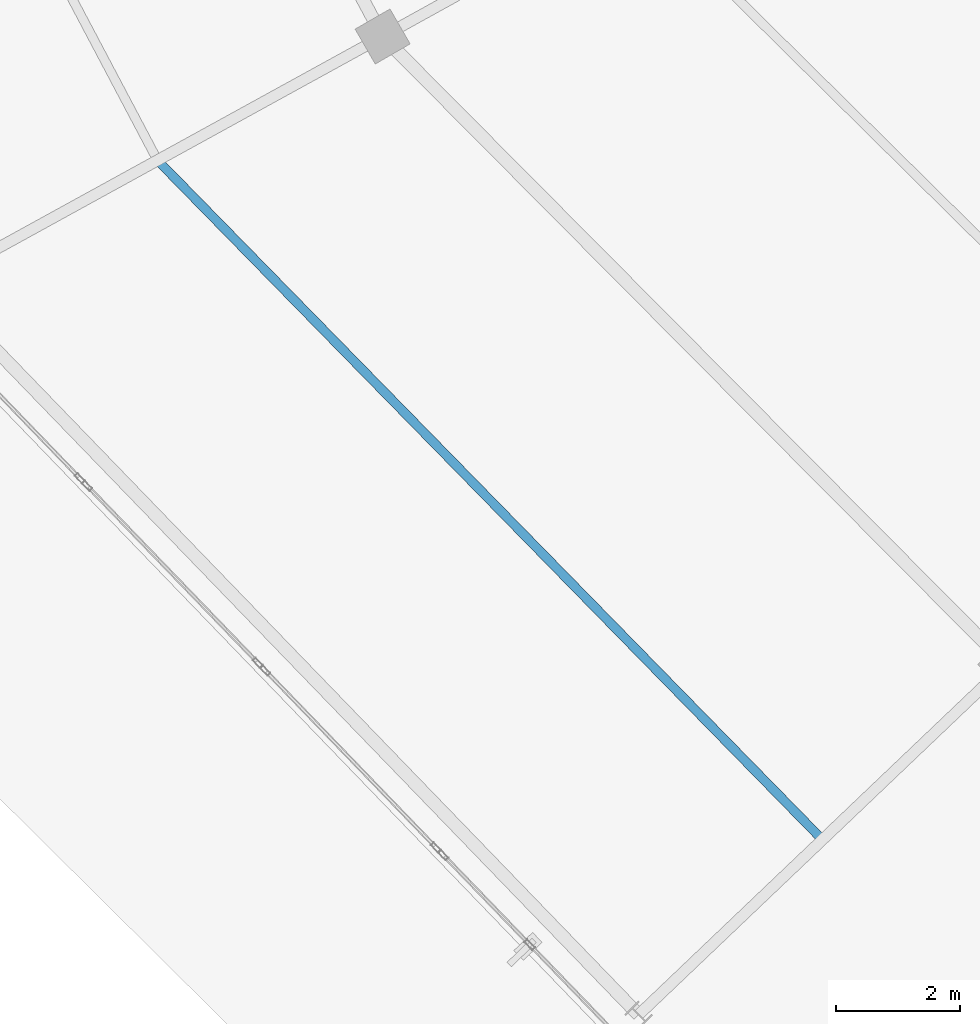
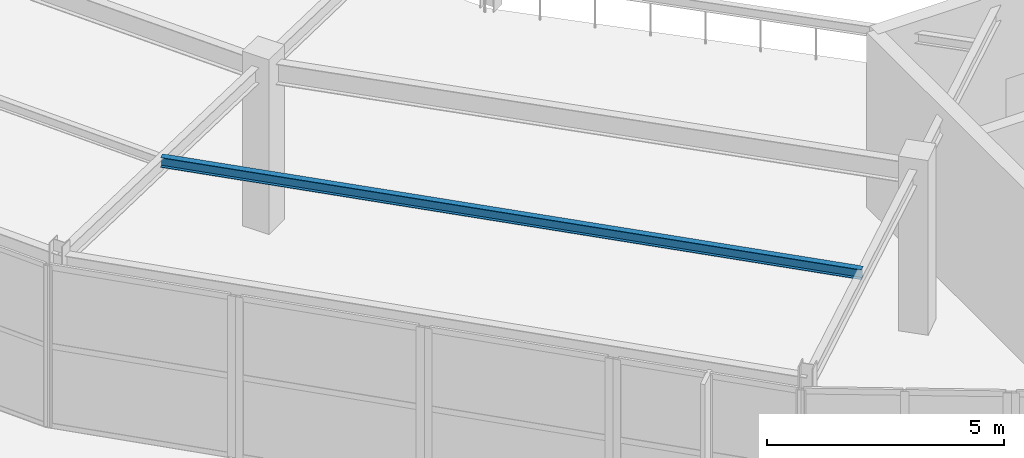
# One storey, part 16 of 126: 1 beam.
"""IFC4 building model written with IfcOpenShell, lengths in metres."""

from ifc_helpers import new_model, si_unit, direction, frame, origin, origin_2d, place, context, subcontext, project, spatial, i_section, extrude, material, material_profile, profile_set, type_object, element, save


model = new_model("IFC4")

# Units and contexts
model_context = context("Model", 3, precision=1e-05, world=origin(), true_north=direction((0.0, 1.0)))
body_context = subcontext(model_context, "Body", "Model", "MODEL_VIEW")
ifc_project = project(units=[si_unit("LENGTHUNIT", "METRE"), si_unit("AREAUNIT", "SQUARE_METRE"), si_unit("VOLUMEUNIT", "CUBIC_METRE"), si_unit("PLANEANGLEUNIT", "RADIAN"), si_unit("MASSUNIT", "GRAM", prefix="KILO")], contexts=[model_context])

# Site, building, storey
site_placement = place(None, origin())
site = spatial("IfcSite", under=ifc_project, at=site_placement, CompositionType="ELEMENT")
building_placement = place(site_placement, origin())
building = spatial("IfcBuilding", under=site, at=building_placement, Name="Kalgoora Escarpment Arena", CompositionType="ELEMENT")
storey_placement = place(building_placement, frame((0.0, 0.0, 18.89990234375)))
storey = spatial("IfcBuildingStorey", under=building, at=storey_placement, Name="L04", CompositionType="ELEMENT", Elevation=18.89990234375)

# Beam
ifc_material = material(Name="Structural steel AS/NZS 3679 (300 MPa)", Category="steel")
ifc_material_profile = material_profile(ifc_material, i_section(OverallWidth=0.14599609375, OverallDepth=0.256103515625, WebThickness=0.00634765625, FlangeThickness=0.010986328125, at=origin_2d()))
ifc_profile_set = profile_set([ifc_material_profile], Name="Structural steel AS/NZS 3679 (300 MPa)")
beam_type = type_object("IfcBeamType", Name="BM-BEAM-250UB37.3", PredefinedType="BEAM", material=ifc_profile_set)
beam_placement = place(storey_placement, frame((33.856689453125, 37.5, 4.08203125), z_axis=(0.699459765506, -0.71467197821, 0.0), x_axis=(0.71467197821, 0.699459765506, 0.0)))
element("IfcBeam", 1, at=beam_placement, inside=storey, type_object=beam_type, Name="L04 Concourse secondary ring beam 250UB37.3", PredefinedType="BEAM", context=body_context, shape_type="SweptSolid", body=[
    extrude(i_section(OverallWidth=0.14599609375, OverallDepth=0.256103515625, WebThickness=0.00634765625, FlangeThickness=0.010986328125, at=origin_2d()), origin(), (0.0, 0.0, 1.0), 15.35888671875),
])

save(model, "model.ifc")
